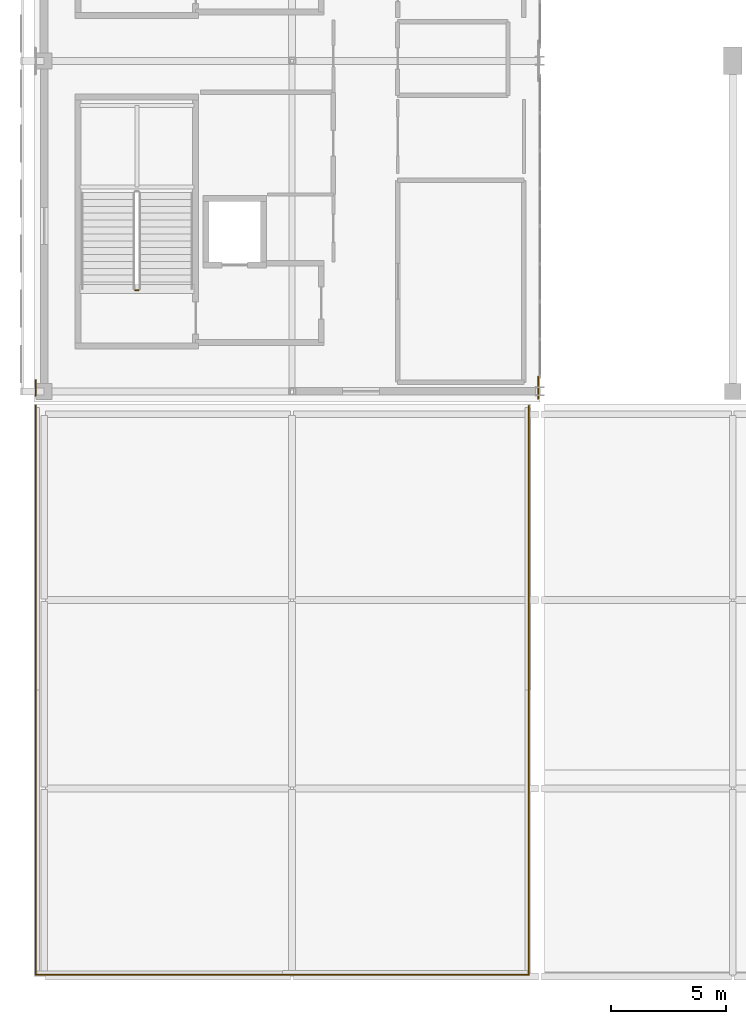
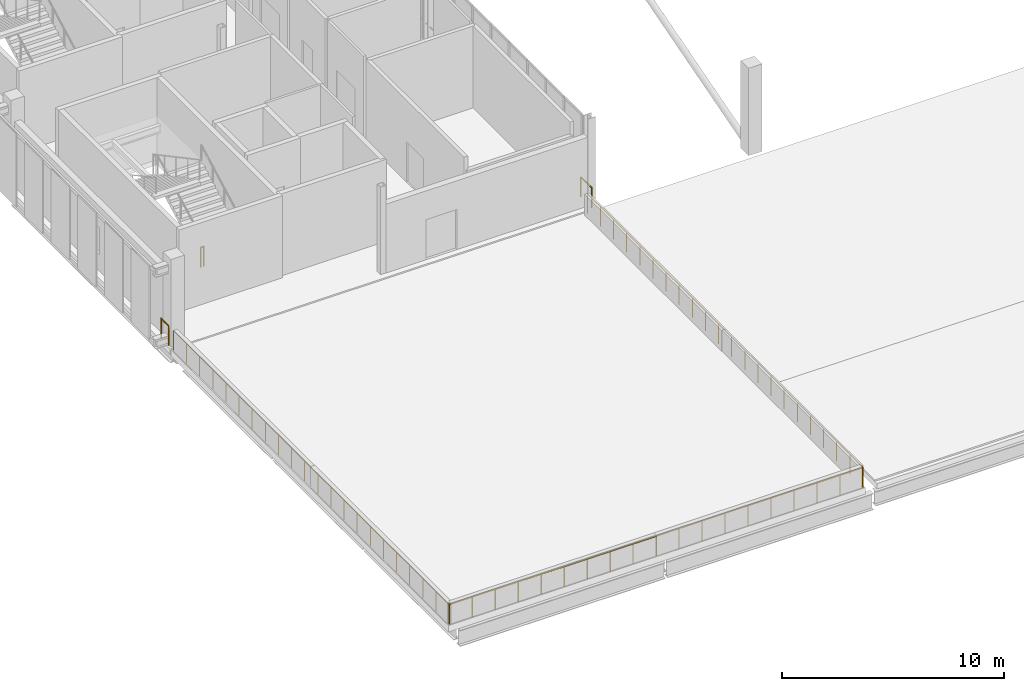
# One storey, part 42 of 51: 6 railings.
"""IFC4 building model written with IfcOpenShell, lengths in metres."""

from ifc_helpers import new_model, si_unit, direction, frame, origin, origin_2d, place, context, subcontext, project, spatial, circle, extrude, material, type_object, element, save


model = new_model("IFC4")

# Units and contexts
model_context = context("Model", 3, precision=1e-05, world=origin(), true_north=direction((0.0, 1.0)))
body_context = subcontext(model_context, "Body", "Model", "MODEL_VIEW")
ifc_project = project(units=[si_unit("LENGTHUNIT", "METRE"), si_unit("AREAUNIT", "SQUARE_METRE"), si_unit("VOLUMEUNIT", "CUBIC_METRE"), si_unit("PLANEANGLEUNIT", "RADIAN"), si_unit("MASSUNIT", "GRAM", prefix="KILO")], contexts=[model_context])

# Site, building, storey
site_placement = place(None, origin())
site = spatial("IfcSite", under=ifc_project, at=site_placement, CompositionType="ELEMENT")
building_placement = place(site_placement, origin())
building = spatial("IfcBuilding", under=site, at=building_placement, Name="Koshinbarg Plaza Stadium", CompositionType="ELEMENT")
storey_placement = place(building_placement, frame((0.0, 0.0, 24.60009765625)))
storey = spatial("IfcBuildingStorey", under=building, at=storey_placement, Name="L05", CompositionType="ELEMENT", Elevation=24.60009765625)

# Railings
ifc_material_1 = material(Name="Toughened laminated glass and stainless steel sightline balustrade", Category="steel")
railing_type_1 = type_object("IfcRailingType", Name="RL-BOWL-1100", PredefinedType="BALUSTRADE", material=ifc_material_1)
railing_1_placement = place(storey_placement, frame((24.22509765625, 25.31494140625, 0.0)))
element("IfcRailing", 1, at=railing_1_placement, inside=storey, type_object=railing_type_1, Name="L05 deck edge safety balustrade 0346", PredefinedType="BALUSTRADE", context=body_context, shape_type="SweptSolid", body=[
    extrude(circle(Radius=0.02392578125, at=origin_2d()), frame((0.0, 0.0, 1.076171875), z_axis=(0.0, 1.0, 0.0), x_axis=(-1.0, 0.0, 0.0)), (0.0, 0.0, 1.0), 0.67626953125),
    extrude(circle(Radius=0.02099609375, at=origin_2d()), origin(), (0.0, 0.0, 1.0), 1.052001953125),
    extrude(circle(Radius=0.02099609375, at=origin_2d()), frame((0.0, 0.67626953125, 0.0)), (0.0, 0.0, 1.0), 1.052001953125),
])
railing_2_placement = place(storey_placement, frame((46.1201171875, 26.140625, 0.0)))
element("IfcRailing", 2, at=railing_2_placement, inside=storey, type_object=railing_type_1, Name="L05 deck edge safety balustrade 0352", PredefinedType="BALUSTRADE", context=body_context, shape_type="SweptSolid", body=[
    extrude(circle(Radius=0.02392578125, at=origin_2d()), frame((0.0, 0.0, 1.076171875), z_axis=(0.0, -1.0, 0.0), x_axis=(1.0, 0.0, 0.0)), (0.0, 0.0, 1.0), 0.95947265625),
    extrude(circle(Radius=0.02099609375, at=origin_2d()), origin(), (0.0, 0.0, 1.0), 1.052001953125),
    extrude(circle(Radius=0.02099609375, at=origin_2d()), frame((0.0, -0.95947265625, 0.0)), (0.0, 0.0, 1.0), 1.052001953125),
])
ifc_material_2 = material(Name="Galvanized painted steel guardrail", Category="steel")
railing_type_2 = type_object("IfcRailingType", Name="RL-GUARD-1100", PredefinedType="GUARDRAIL", material=ifc_material_2)
railing_3_placement = place(storey_placement, frame((24.22509765625, 0.080078125, 0.0)))
element("IfcRailing", 3, at=railing_3_placement, inside=storey, type_object=railing_type_2, Name="L05 roof garden RG-L05-S guard 0010", PredefinedType="GUARDRAIL", context=body_context, shape_type="SweptSolid", body=[
    extrude(circle(Radius=0.02392578125, at=origin_2d()), frame((0.0, 0.0, 1.076171875), z_axis=(1.0, 0.0, 0.0), x_axis=(0.0, 1.0, 0.0)), (0.0, 0.0, 1.0), 21.494873046875),
    extrude(circle(Radius=0.02099609375, at=origin_2d()), origin(), (0.0, 0.0, 1.0), 1.052001953125),
    extrude(circle(Radius=0.02099609375, at=origin_2d()), frame((1.194091796875, 0.0, 0.0)), (0.0, 0.0, 1.0), 1.052001953125),
    extrude(circle(Radius=0.02099609375, at=origin_2d()), frame((2.388427734375, 0.0, 0.0)), (0.0, 0.0, 1.0), 1.052001953125),
    extrude(circle(Radius=0.02099609375, at=origin_2d()), frame((3.58251953125, 0.0, 0.0)), (0.0, 0.0, 1.0), 1.052001953125),
    extrude(circle(Radius=0.02099609375, at=origin_2d()), frame((4.776611328125, 0.0, 0.0)), (0.0, 0.0, 1.0), 1.052001953125),
    extrude(circle(Radius=0.02099609375, at=origin_2d()), frame((5.970703125, 0.0, 0.0)), (0.0, 0.0, 1.0), 1.052001953125),
    extrude(circle(Radius=0.02099609375, at=origin_2d()), frame((7.1650390625, 0.0, 0.0)), (0.0, 0.0, 1.0), 1.052001953125),
    extrude(circle(Radius=0.02099609375, at=origin_2d()), frame((8.359130859375, 0.0, 0.0)), (0.0, 0.0, 1.0), 1.052001953125),
    extrude(circle(Radius=0.02099609375, at=origin_2d()), frame((9.55322265625, 0.0, 0.0)), (0.0, 0.0, 1.0), 1.052001953125),
    extrude(circle(Radius=0.02099609375, at=origin_2d()), frame((10.74755859375, 0.0, 0.0)), (0.0, 0.0, 1.0), 1.052001953125),
    extrude(circle(Radius=0.02099609375, at=origin_2d()), frame((11.941650390625, 0.0, 0.0)), (0.0, 0.0, 1.0), 1.052001953125),
    extrude(circle(Radius=0.02099609375, at=origin_2d()), frame((13.1357421875, 0.0, 0.0)), (0.0, 0.0, 1.0), 1.052001953125),
    extrude(circle(Radius=0.02099609375, at=origin_2d()), frame((14.329833984375, 0.0, 0.0)), (0.0, 0.0, 1.0), 1.052001953125),
    extrude(circle(Radius=0.02099609375, at=origin_2d()), frame((15.524169921875, 0.0, 0.0)), (0.0, 0.0, 1.0), 1.052001953125),
    extrude(circle(Radius=0.02099609375, at=origin_2d()), frame((16.71826171875, 0.0, 0.0)), (0.0, 0.0, 1.0), 1.052001953125),
    extrude(circle(Radius=0.02099609375, at=origin_2d()), frame((17.912353515625, 0.0, 0.0)), (0.0, 0.0, 1.0), 1.052001953125),
    extrude(circle(Radius=0.02099609375, at=origin_2d()), frame((19.1064453125, 0.0, 0.0)), (0.0, 0.0, 1.0), 1.052001953125),
    extrude(circle(Radius=0.02099609375, at=origin_2d()), frame((20.30078125, 0.0, 0.0)), (0.0, 0.0, 1.0), 1.052001953125),
    extrude(circle(Radius=0.02099609375, at=origin_2d()), frame((21.494873046875, 0.0, 0.0)), (0.0, 0.0, 1.0), 1.052001953125),
])
railing_4_placement = place(storey_placement, frame((45.719970703125, 0.080078125, 0.0)))
element("IfcRailing", 4, at=railing_4_placement, inside=storey, type_object=railing_type_2, Name="L05 roof garden RG-L05-S guard 0011", PredefinedType="GUARDRAIL", context=body_context, shape_type="SweptSolid", body=[
    extrude(circle(Radius=0.02392578125, at=origin_2d()), frame((0.0, 0.0, 1.076171875), z_axis=(0.0, 1.0, 0.0), x_axis=(-1.0, 0.0, 0.0)), (0.0, 0.0, 1.0), 24.794921875),
    extrude(circle(Radius=0.02099609375, at=origin_2d()), origin(), (0.0, 0.0, 1.0), 1.052001953125),
    extrude(circle(Radius=0.02099609375, at=origin_2d()), frame((0.0, 1.1806640625, 0.0)), (0.0, 0.0, 1.0), 1.052001953125),
    extrude(circle(Radius=0.02099609375, at=origin_2d()), frame((0.0, 2.361328125, 0.0)), (0.0, 0.0, 1.0), 1.052001953125),
    extrude(circle(Radius=0.02099609375, at=origin_2d()), frame((0.0, 3.542236328125, 0.0)), (0.0, 0.0, 1.0), 1.052001953125),
    extrude(circle(Radius=0.02099609375, at=origin_2d()), frame((0.0, 4.722900390625, 0.0)), (0.0, 0.0, 1.0), 1.052001953125),
    extrude(circle(Radius=0.02099609375, at=origin_2d()), frame((0.0, 5.903564453125, 0.0)), (0.0, 0.0, 1.0), 1.052001953125),
    extrude(circle(Radius=0.02099609375, at=origin_2d()), frame((0.0, 7.084228515625, 0.0)), (0.0, 0.0, 1.0), 1.052001953125),
    extrude(circle(Radius=0.02099609375, at=origin_2d()), frame((0.0, 8.264892578125, 0.0)), (0.0, 0.0, 1.0), 1.052001953125),
    extrude(circle(Radius=0.02099609375, at=origin_2d()), frame((0.0, 9.44580078125, 0.0)), (0.0, 0.0, 1.0), 1.052001953125),
    extrude(circle(Radius=0.02099609375, at=origin_2d()), frame((0.0, 10.62646484375, 0.0)), (0.0, 0.0, 1.0), 1.052001953125),
    extrude(circle(Radius=0.02099609375, at=origin_2d()), frame((0.0, 11.80712890625, 0.0)), (0.0, 0.0, 1.0), 1.052001953125),
    extrude(circle(Radius=0.02099609375, at=origin_2d()), frame((0.0, 12.98779296875, 0.0)), (0.0, 0.0, 1.0), 1.052001953125),
    extrude(circle(Radius=0.02099609375, at=origin_2d()), frame((0.0, 14.16845703125, 0.0)), (0.0, 0.0, 1.0), 1.052001953125),
    extrude(circle(Radius=0.02099609375, at=origin_2d()), frame((0.0, 15.34912109375, 0.0)), (0.0, 0.0, 1.0), 1.052001953125),
    extrude(circle(Radius=0.02099609375, at=origin_2d()), frame((0.0, 16.530029296875, 0.0)), (0.0, 0.0, 1.0), 1.052001953125),
    extrude(circle(Radius=0.02099609375, at=origin_2d()), frame((0.0, 17.710693359375, 0.0)), (0.0, 0.0, 1.0), 1.052001953125),
    extrude(circle(Radius=0.02099609375, at=origin_2d()), frame((0.0, 18.891357421875, 0.0)), (0.0, 0.0, 1.0), 1.052001953125),
    extrude(circle(Radius=0.02099609375, at=origin_2d()), frame((0.0, 20.072021484375, 0.0)), (0.0, 0.0, 1.0), 1.052001953125),
    extrude(circle(Radius=0.02099609375, at=origin_2d()), frame((0.0, 21.252685546875, 0.0)), (0.0, 0.0, 1.0), 1.052001953125),
    extrude(circle(Radius=0.02099609375, at=origin_2d()), frame((0.0, 22.43359375, 0.0)), (0.0, 0.0, 1.0), 1.052001953125),
    extrude(circle(Radius=0.02099609375, at=origin_2d()), frame((0.0, 23.6142578125, 0.0)), (0.0, 0.0, 1.0), 1.052001953125),
    extrude(circle(Radius=0.02099609375, at=origin_2d()), frame((0.0, 24.794921875, 0.0)), (0.0, 0.0, 1.0), 1.052001953125),
])
railing_5_placement = place(storey_placement, frame((24.22509765625, 24.875, 0.0)))
element("IfcRailing", 5, at=railing_5_placement, inside=storey, type_object=railing_type_2, Name="L05 roof garden RG-L05-S guard 0012", PredefinedType="GUARDRAIL", context=body_context, shape_type="SweptSolid", body=[
    extrude(circle(Radius=0.02392578125, at=origin_2d()), frame((0.0, 0.0, 1.076171875), z_axis=(0.0, -1.0, 0.0), x_axis=(1.0, 0.0, 0.0)), (0.0, 0.0, 1.0), 24.794921875),
    extrude(circle(Radius=0.02099609375, at=origin_2d()), origin(), (0.0, 0.0, 1.0), 1.052001953125),
    extrude(circle(Radius=0.02099609375, at=origin_2d()), frame((0.0, -1.1806640625, 0.0)), (0.0, 0.0, 1.0), 1.052001953125),
    extrude(circle(Radius=0.02099609375, at=origin_2d()), frame((0.0, -2.361328125, 0.0)), (0.0, 0.0, 1.0), 1.052001953125),
    extrude(circle(Radius=0.02099609375, at=origin_2d()), frame((0.0, -3.542236328125, 0.0)), (0.0, 0.0, 1.0), 1.052001953125),
    extrude(circle(Radius=0.02099609375, at=origin_2d()), frame((0.0, -4.722900390625, 0.0)), (0.0, 0.0, 1.0), 1.052001953125),
    extrude(circle(Radius=0.02099609375, at=origin_2d()), frame((0.0, -5.903564453125, 0.0)), (0.0, 0.0, 1.0), 1.052001953125),
    extrude(circle(Radius=0.02099609375, at=origin_2d()), frame((0.0, -7.084228515625, 0.0)), (0.0, 0.0, 1.0), 1.052001953125),
    extrude(circle(Radius=0.02099609375, at=origin_2d()), frame((0.0, -8.264892578125, 0.0)), (0.0, 0.0, 1.0), 1.052001953125),
    extrude(circle(Radius=0.02099609375, at=origin_2d()), frame((0.0, -9.44580078125, 0.0)), (0.0, 0.0, 1.0), 1.052001953125),
    extrude(circle(Radius=0.02099609375, at=origin_2d()), frame((0.0, -10.62646484375, 0.0)), (0.0, 0.0, 1.0), 1.052001953125),
    extrude(circle(Radius=0.02099609375, at=origin_2d()), frame((0.0, -11.80712890625, 0.0)), (0.0, 0.0, 1.0), 1.052001953125),
    extrude(circle(Radius=0.02099609375, at=origin_2d()), frame((0.0, -12.98779296875, 0.0)), (0.0, 0.0, 1.0), 1.052001953125),
    extrude(circle(Radius=0.02099609375, at=origin_2d()), frame((0.0, -14.16845703125, 0.0)), (0.0, 0.0, 1.0), 1.052001953125),
    extrude(circle(Radius=0.02099609375, at=origin_2d()), frame((0.0, -15.34912109375, 0.0)), (0.0, 0.0, 1.0), 1.052001953125),
    extrude(circle(Radius=0.02099609375, at=origin_2d()), frame((0.0, -16.530029296875, 0.0)), (0.0, 0.0, 1.0), 1.052001953125),
    extrude(circle(Radius=0.02099609375, at=origin_2d()), frame((0.0, -17.710693359375, 0.0)), (0.0, 0.0, 1.0), 1.052001953125),
    extrude(circle(Radius=0.02099609375, at=origin_2d()), frame((0.0, -18.891357421875, 0.0)), (0.0, 0.0, 1.0), 1.052001953125),
    extrude(circle(Radius=0.02099609375, at=origin_2d()), frame((0.0, -20.072021484375, 0.0)), (0.0, 0.0, 1.0), 1.052001953125),
    extrude(circle(Radius=0.02099609375, at=origin_2d()), frame((0.0, -21.252685546875, 0.0)), (0.0, 0.0, 1.0), 1.052001953125),
    extrude(circle(Radius=0.02099609375, at=origin_2d()), frame((0.0, -22.43359375, 0.0)), (0.0, 0.0, 1.0), 1.052001953125),
    extrude(circle(Radius=0.02099609375, at=origin_2d()), frame((0.0, -23.6142578125, 0.0)), (0.0, 0.0, 1.0), 1.052001953125),
    extrude(circle(Radius=0.02099609375, at=origin_2d()), frame((0.0, -24.794921875, 0.0)), (0.0, 0.0, 1.0), 1.052001953125),
])
railing_6_placement = place(storey_placement, frame((28.7099609375, 29.909912109375, 0.0)))
element("IfcRailing", 6, at=railing_6_placement, inside=storey, type_object=railing_type_2, Name="L05 C01 stair guard 4", PredefinedType="GUARDRAIL", context=body_context, shape_type="SweptSolid", body=[
    extrude(circle(Radius=0.02392578125, at=origin_2d()), frame((0.0, 0.0, 1.076171875), z_axis=(-1.0, 0.0, 0.0), x_axis=(0.0, -1.0, 0.0)), (0.0, 0.0, 1.0), 0.14990234375),
    extrude(circle(Radius=0.02099609375, at=origin_2d()), origin(), (0.0, 0.0, 1.0), 1.052001953125),
    extrude(circle(Radius=0.02099609375, at=origin_2d()), frame((-0.14990234375, 0.0, 0.0)), (0.0, 0.0, 1.0), 1.052001953125),
])

save(model, "model.ifc")
